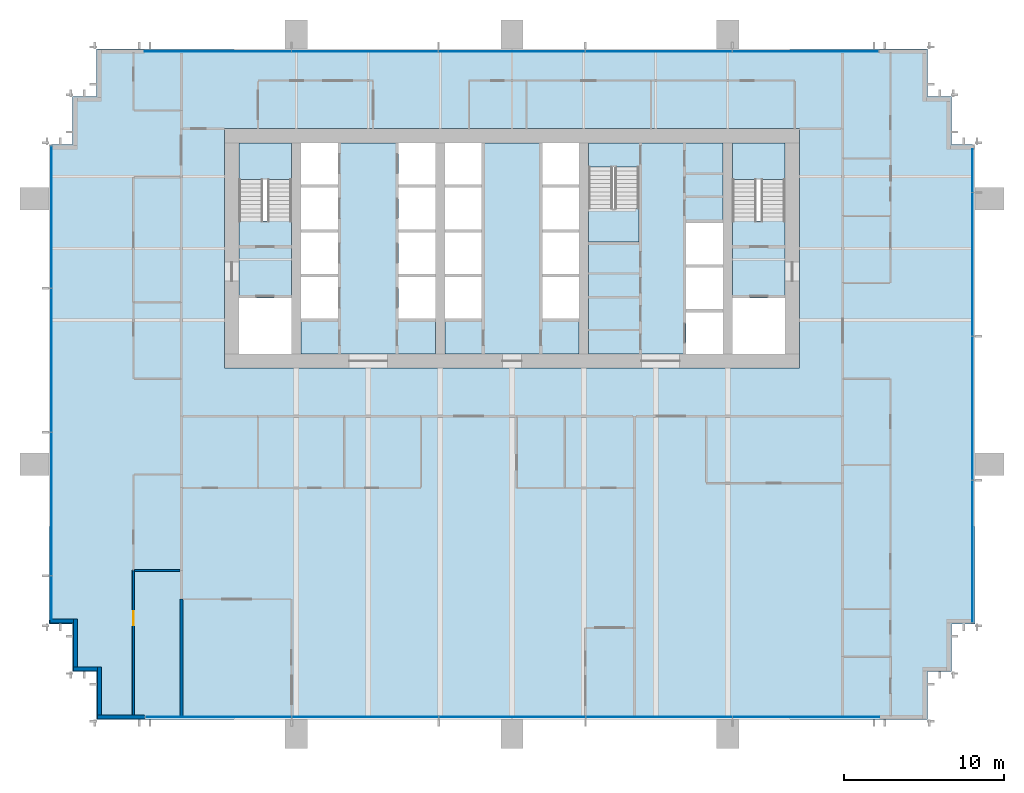
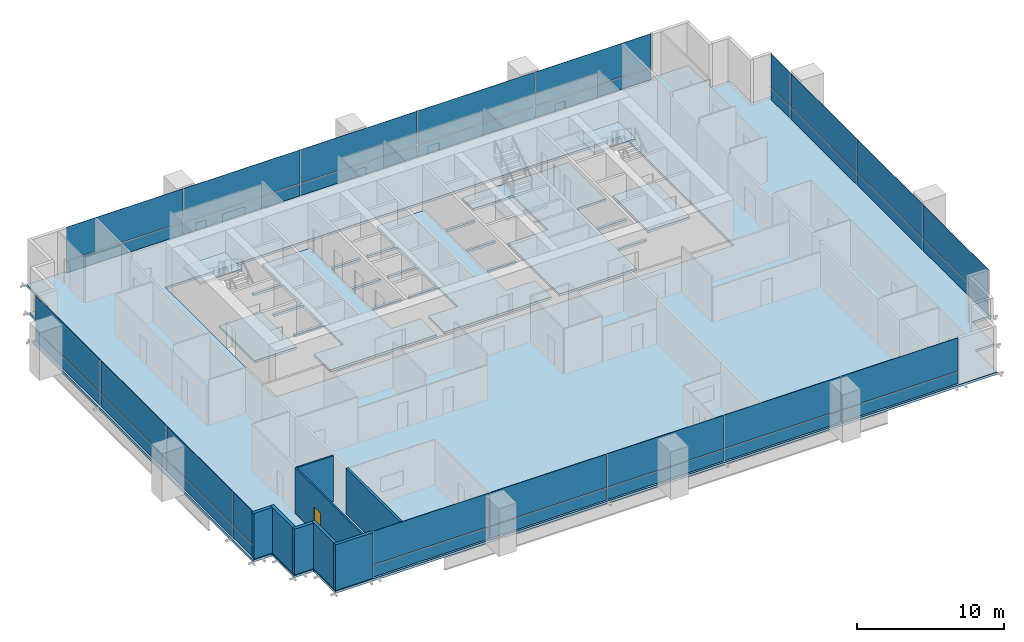
# One storey, part 9 of 16: 36 plates, 9 slabs, 8 walls, 1 door, 1 opening, 7 elements without a shape of their own.
"""IFC4 building model written with IfcOpenShell, lengths in metres."""

from ifc_helpers import new_model, si_unit, direction, frame, frame_2d, origin, origin_2d, place, context, subcontext, project, spatial, polyline, rectangle, outline, extrude, material, layer, layer_set, type_object, element, fill, aggregate, save


model = new_model("IFC4")

# Units and contexts
model_context = context("Model", 3, precision=1e-05, world=origin(), true_north=direction((0.0, 1.0)))
body_context = subcontext(model_context, "Body", "Model", "MODEL_VIEW")
ifc_project = project(units=[si_unit("LENGTHUNIT", "METRE"), si_unit("AREAUNIT", "SQUARE_METRE"), si_unit("VOLUMEUNIT", "CUBIC_METRE"), si_unit("PLANEANGLEUNIT", "RADIAN"), si_unit("MASSUNIT", "GRAM", prefix="KILO")], contexts=[model_context])

# Site, building, storey
site_placement = place(None, origin())
site = spatial("IfcSite", under=ifc_project, at=site_placement, CompositionType="ELEMENT")
building_placement = place(site_placement, origin())
building = spatial("IfcBuilding", under=site, at=building_placement, Name="Rattan Terrace Tower", CompositionType="ELEMENT")
storey_placement = place(building_placement, frame((0.0, 0.0, 130.10009765625)))
storey = spatial("IfcBuildingStorey", under=building, at=storey_placement, Name="L29", CompositionType="ELEMENT", Elevation=130.10009765625)

# Stair, slab
ifc_material_1 = material(Name="Concrete C40/50", Category="concrete")
stair_type = type_object("IfcStairType", Name="Core exit stair 1500", PredefinedType="HALF_TURN_STAIR", material=ifc_material_1)
stair_1_placement = place(storey_placement, origin())
stair_1 = element("IfcStair", 1, at=stair_1_placement, inside=storey, type_object=stair_type, Name="L29 exit stair 1", PredefinedType="HALF_TURN_STAIR")
ifc_material_2 = material(Name="Concrete C40/50", Category="concrete")
ifc_layer_1 = layer(ifc_material_2, 0.199951171875)
ifc_layer_set_1 = layer_set([ifc_layer_1], Name="Core exit stair landing")
slab_type_1 = type_object("IfcSlabType", Name="Core exit stair landing", PredefinedType="LANDING", material=ifc_layer_set_1)
slab_1_placement = place(storey_placement, frame((0.0, 0.0, 1.7998046875)))
slab_1 = element("IfcSlab", 2, at=slab_1_placement, type_object=slab_type_1, Name="S1 landing 1", PredefinedType="LANDING", context=body_context, shape_type="SweptSolid", body=[
    extrude(outline(polyline([(-13.800048828125, 4.300048828125), (-13.800048828125, 6.60009765625), (-17.10009765625, 6.60009765625), (-17.10009765625, 4.300048828125), (-13.800048828125, 4.300048828125)])), origin(), (0.0, 0.0, 1.0), 0.2001953125),
])
aggregate(stair_1, [slab_1])

stair_2_placement = place(storey_placement, origin())
stair_2 = element("IfcStair", 3, at=stair_2_placement, inside=storey, type_object=stair_type, Name="L29 exit stair 2", PredefinedType="HALF_TURN_STAIR")
slab_2_placement = place(storey_placement, frame((0.0, 0.0, 1.7998046875)))
slab_2 = element("IfcSlab", 4, at=slab_2_placement, type_object=slab_type_1, Name="S2 landing 1", PredefinedType="LANDING", context=body_context, shape_type="SweptSolid", body=[
    extrude(outline(polyline([(17.10009765625, 4.300048828125), (17.10009765625, 6.60009765625), (13.800048828125, 6.60009765625), (13.800048828125, 4.300048828125), (17.10009765625, 4.300048828125)])), origin(), (0.0, 0.0, 1.0), 0.2001953125),
])
aggregate(stair_2, [slab_2])

stair_3_placement = place(storey_placement, origin())
stair_3 = element("IfcStair", 5, at=stair_3_placement, inside=storey, type_object=stair_type, Name="L29 exit stair 3", PredefinedType="HALF_TURN_STAIR")
slab_3_placement = place(storey_placement, frame((0.0, 0.0, 1.7998046875)))
slab_3 = element("IfcSlab", 6, at=slab_3_placement, type_object=slab_type_1, Name="S3 landing 1", PredefinedType="LANDING", context=body_context, shape_type="SweptSolid", body=[
    extrude(outline(polyline([(4.800048828125, 2.5), (4.800048828125, 0.39990234375), (7.949951171875, 0.39990234375), (7.949951171875, 2.5), (4.800048828125, 2.5)])), origin(), (0.0, 0.0, 1.0), 0.2001953125),
])
aggregate(stair_3, [slab_3])

# Curtain wall, plates
ifc_material_3 = material(Name="Aluminium and glass", Category="aluminium")
curtain_wall_type = type_object("IfcCurtainWallType", Name="Facade Unitised Curtain Wall", PredefinedType="NOTDEFINED", material=ifc_material_3)
curtain_wall_1_placement = place(storey_placement, origin())
curtain_wall_1 = element("IfcCurtainWall", 7, at=curtain_wall_1_placement, inside=storey, type_object=curtain_wall_type, Name="Curtain wall L29-1", PredefinedType="NOTDEFINED")
ifc_material_4 = material(Name="Aluminium insulated spandrel panel", Category="aluminium")
ifc_layer_2 = layer(ifc_material_4, 0.028076171875)
ifc_layer_set_2 = layer_set([ifc_layer_2], Name="Facade CW Spandrel Panel")
plate_type_1 = type_object("IfcPlateType", Name="Facade CW Spandrel Panel", PredefinedType="CURTAIN_PANEL", material=ifc_layer_set_2)
plate_1_placement = place(storey_placement, frame((28.830078125, -18.96240234375, 0.0), z_axis=(0.0, 0.0, 1.0), x_axis=(0.0, 1.0, 0.0)))
plate_1 = element("IfcPlate", 8, at=plate_1_placement, type_object=plate_type_1, Name="Panel cwl-L29-001.1.1", PredefinedType="CURTAIN_PANEL", context=body_context, shape_type="SweptSolid", body=[
    extrude(rectangle(XDim=8.864990234375, YDim=0.028076171875, at=origin_2d()), origin(), (0.0, 0.0, 1.0), 0.969970703125),
])
plate_2_placement = place(storey_placement, frame((28.830078125, -10.0, 0.0), z_axis=(0.0, 0.0, 1.0), x_axis=(0.0, 1.0, 0.0)))
plate_2 = element("IfcPlate", 9, at=plate_2_placement, type_object=plate_type_1, Name="Panel cwl-L29-001.2.1", PredefinedType="CURTAIN_PANEL", context=body_context, shape_type="SweptSolid", body=[
    extrude(rectangle(XDim=8.93994140625, YDim=0.028076171875, at=origin_2d()), origin(), (0.0, 0.0, 1.0), 0.969970703125),
])
plate_3_placement = place(storey_placement, frame((28.830078125, -1.0, 0.0), z_axis=(0.0, 0.0, 1.0), x_axis=(0.0, 1.0, 0.0)))
plate_3 = element("IfcPlate", 10, at=plate_3_placement, type_object=plate_type_1, Name="Panel cwl-L29-001.3.1", PredefinedType="CURTAIN_PANEL", context=body_context, shape_type="SweptSolid", body=[
    extrude(rectangle(XDim=8.93994140625, YDim=0.028076171875, at=origin_2d()), origin(), (0.0, 0.0, 1.0), 0.969970703125),
])
plate_4_placement = place(storey_placement, frame((28.830078125, 4.867431640625, 0.0), z_axis=(0.0, 0.0, 1.0), x_axis=(0.0, 1.0, 0.0)))
plate_4 = element("IfcPlate", 11, at=plate_4_placement, type_object=plate_type_1, Name="Panel cwl-L29-001.4.1", PredefinedType="CURTAIN_PANEL", context=body_context, shape_type="SweptSolid", body=[
    extrude(rectangle(XDim=2.675048828125, YDim=0.028076171875, at=origin_2d()), origin(), (0.0, 0.0, 1.0), 0.969970703125),
])

curtain_wall_2_placement = place(storey_placement, origin())
curtain_wall_2 = element("IfcCurtainWall", 12, at=curtain_wall_2_placement, inside=storey, type_object=curtain_wall_type, Name="Curtain wall L29-2", PredefinedType="NOTDEFINED")
plate_5_placement = place(storey_placement, frame((18.384521484375, 12.330078125, 0.0), z_axis=(0.0, 0.0, 1.0), x_axis=(-1.0, 0.0, 0.0)))
plate_5 = element("IfcPlate", 13, at=plate_5_placement, type_object=plate_type_1, Name="Panel cwl-L29-002.1.1", PredefinedType="CURTAIN_PANEL", context=body_context, shape_type="SweptSolid", body=[
    extrude(rectangle(XDim=9.111083984375, YDim=0.028076171875, at=origin_2d()), origin(), (0.0, 0.0, 1.0), 0.969970703125),
])
plate_6_placement = place(storey_placement, frame((9.198486328125, 12.330078125, 0.0), z_axis=(0.0, 0.0, 1.0), x_axis=(-1.0, 0.0, 0.0)))
plate_6 = element("IfcPlate", 14, at=plate_6_placement, type_object=plate_type_1, Name="Panel cwl-L29-002.2.1", PredefinedType="CURTAIN_PANEL", context=body_context, shape_type="SweptSolid", body=[
    extrude(rectangle(XDim=9.14111328125, YDim=0.028076171875, at=origin_2d()), origin(), (0.0, 0.0, 1.0), 0.969970703125),
])
plate_7_placement = place(storey_placement, frame((-0.00244140625, 12.330078125, 0.0), z_axis=(0.0, 0.0, 1.0), x_axis=(-1.0, 0.0, 0.0)))
plate_7 = element("IfcPlate", 15, at=plate_7_placement, type_object=plate_type_1, Name="Panel cwl-L29-002.3.1", PredefinedType="CURTAIN_PANEL", context=body_context, shape_type="SweptSolid", body=[
    extrude(rectangle(XDim=9.14111328125, YDim=0.028076171875, at=origin_2d()), origin(), (0.0, 0.0, 1.0), 0.969970703125),
])
plate_8_placement = place(storey_placement, frame((-9.20361328125, 12.330078125, 0.0), z_axis=(0.0, 0.0, 1.0), x_axis=(-1.0, 0.0, 0.0)))
plate_8 = element("IfcPlate", 16, at=plate_8_placement, type_object=plate_type_1, Name="Panel cwl-L29-002.4.1", PredefinedType="CURTAIN_PANEL", context=body_context, shape_type="SweptSolid", body=[
    extrude(rectangle(XDim=9.14111328125, YDim=0.028076171875, at=origin_2d()), origin(), (0.0, 0.0, 1.0), 0.969970703125),
])
plate_9_placement = place(storey_placement, frame((-18.4169921875, 12.330078125, 0.0), z_axis=(0.0, 0.0, 1.0), x_axis=(-1.0, 0.0, 0.0)))
plate_9 = element("IfcPlate", 17, at=plate_9_placement, type_object=plate_type_1, Name="Panel cwl-L29-002.5.1", PredefinedType="CURTAIN_PANEL", context=body_context, shape_type="SweptSolid", body=[
    extrude(rectangle(XDim=9.166015625, YDim=0.028076171875, at=origin_2d()), origin(), (0.0, 0.0, 1.0), 0.969970703125),
])

curtain_wall_3_placement = place(storey_placement, origin())
curtain_wall_3 = element("IfcCurtainWall", 18, at=curtain_wall_3_placement, inside=storey, type_object=curtain_wall_type, Name="Curtain wall L29-3", PredefinedType="NOTDEFINED")
plate_10_placement = place(storey_placement, frame((-28.830078125, 1.96240234375, 0.0), z_axis=(0.0, 0.0, 1.0), x_axis=(0.0, -1.0, 0.0)))
plate_10 = element("IfcPlate", 19, at=plate_10_placement, type_object=plate_type_1, Name="Panel cwl-L29-003.1.1", PredefinedType="CURTAIN_PANEL", context=body_context, shape_type="SweptSolid", body=[
    extrude(rectangle(XDim=8.864990234375, YDim=0.028076171875, at=origin_2d()), origin(), (0.0, 0.0, 1.0), 0.969970703125),
])
plate_11_placement = place(storey_placement, frame((-28.830078125, -7.0, 0.0), z_axis=(0.0, 0.0, 1.0), x_axis=(0.0, -1.0, 0.0)))
plate_11 = element("IfcPlate", 20, at=plate_11_placement, type_object=plate_type_1, Name="Panel cwl-L29-003.2.1", PredefinedType="CURTAIN_PANEL", context=body_context, shape_type="SweptSolid", body=[
    extrude(rectangle(XDim=8.93994140625, YDim=0.028076171875, at=origin_2d()), origin(), (0.0, 0.0, 1.0), 0.969970703125),
])
plate_12_placement = place(storey_placement, frame((-28.830078125, -16.0, 0.0), z_axis=(0.0, 0.0, 1.0), x_axis=(0.0, -1.0, 0.0)))
plate_12 = element("IfcPlate", 21, at=plate_12_placement, type_object=plate_type_1, Name="Panel cwl-L29-003.3.1", PredefinedType="CURTAIN_PANEL", context=body_context, shape_type="SweptSolid", body=[
    extrude(rectangle(XDim=8.93994140625, YDim=0.028076171875, at=origin_2d()), origin(), (0.0, 0.0, 1.0), 0.969970703125),
])
plate_13_placement = place(storey_placement, frame((-28.830078125, -21.867431640625, 0.0), z_axis=(0.0, 0.0, 1.0), x_axis=(0.0, -1.0, 0.0)))
plate_13 = element("IfcPlate", 22, at=plate_13_placement, type_object=plate_type_1, Name="Panel cwl-L29-003.4.1", PredefinedType="CURTAIN_PANEL", context=body_context, shape_type="SweptSolid", body=[
    extrude(rectangle(XDim=2.675048828125, YDim=0.028076171875, at=origin_2d()), origin(), (0.0, 0.0, 1.0), 0.969970703125),
])

curtain_wall_4_placement = place(storey_placement, origin())
curtain_wall_4 = element("IfcCurtainWall", 23, at=curtain_wall_4_placement, inside=storey, type_object=curtain_wall_type, Name="Curtain wall L29-4", PredefinedType="NOTDEFINED")
plate_14_placement = place(storey_placement, frame((-18.384521484375, -29.330078125, 0.0), z_axis=(0.0, 0.0, 1.0), x_axis=(1.0, 0.0, 0.0)))
plate_14 = element("IfcPlate", 24, at=plate_14_placement, type_object=plate_type_1, Name="Panel cwl-L29-004.1.1", PredefinedType="CURTAIN_PANEL", context=body_context, shape_type="SweptSolid", body=[
    extrude(rectangle(XDim=9.111083984375, YDim=0.028076171875, at=origin_2d()), origin(), (0.0, 0.0, 1.0), 0.969970703125),
])
plate_15_placement = place(storey_placement, frame((-9.198486328125, -29.330078125, 0.0), z_axis=(0.0, 0.0, 1.0), x_axis=(1.0, 0.0, 0.0)))
plate_15 = element("IfcPlate", 25, at=plate_15_placement, type_object=plate_type_1, Name="Panel cwl-L29-004.2.1", PredefinedType="CURTAIN_PANEL", context=body_context, shape_type="SweptSolid", body=[
    extrude(rectangle(XDim=9.14111328125, YDim=0.028076171875, at=origin_2d()), origin(), (0.0, 0.0, 1.0), 0.969970703125),
])
plate_16_placement = place(storey_placement, frame((0.00244140625, -29.330078125, 0.0), z_axis=(0.0, 0.0, 1.0), x_axis=(1.0, 0.0, 0.0)))
plate_16 = element("IfcPlate", 26, at=plate_16_placement, type_object=plate_type_1, Name="Panel cwl-L29-004.3.1", PredefinedType="CURTAIN_PANEL", context=body_context, shape_type="SweptSolid", body=[
    extrude(rectangle(XDim=9.14111328125, YDim=0.028076171875, at=origin_2d()), origin(), (0.0, 0.0, 1.0), 0.969970703125),
])
plate_17_placement = place(storey_placement, frame((9.20361328125, -29.330078125, 0.0), z_axis=(0.0, 0.0, 1.0), x_axis=(1.0, 0.0, 0.0)))
plate_17 = element("IfcPlate", 27, at=plate_17_placement, type_object=plate_type_1, Name="Panel cwl-L29-004.4.1", PredefinedType="CURTAIN_PANEL", context=body_context, shape_type="SweptSolid", body=[
    extrude(rectangle(XDim=9.14111328125, YDim=0.028076171875, at=origin_2d()), origin(), (0.0, 0.0, 1.0), 0.969970703125),
])
plate_18_placement = place(storey_placement, frame((18.4169921875, -29.330078125, 0.0), z_axis=(0.0, 0.0, 1.0), x_axis=(1.0, 0.0, 0.0)))
plate_18 = element("IfcPlate", 28, at=plate_18_placement, type_object=plate_type_1, Name="Panel cwl-L29-004.5.1", PredefinedType="CURTAIN_PANEL", context=body_context, shape_type="SweptSolid", body=[
    extrude(rectangle(XDim=9.166015625, YDim=0.028076171875, at=origin_2d()), origin(), (0.0, 0.0, 1.0), 0.969970703125),
])

# Plate
ifc_material_5 = material(Name="Clear low-iron glass", Category="glass")
ifc_layer_3 = layer(ifc_material_5, 0.028076171875)
ifc_layer_set_3 = layer_set([ifc_layer_3], Name="Facade CW Vision Panel")
plate_type_2 = type_object("IfcPlateType", Name="Facade CW Vision Panel", PredefinedType="CURTAIN_PANEL", material=ifc_layer_set_3)
plate_19_placement = place(storey_placement, frame((28.830078125, -18.96240234375, 1.02978515625), z_axis=(0.0, 0.0, 1.0), x_axis=(0.0, 1.0, 0.0)))
plate_19 = element("IfcPlate", 29, at=plate_19_placement, type_object=plate_type_2, Name="Panel cwl-L29-001.1.2", PredefinedType="CURTAIN_PANEL", context=body_context, shape_type="SweptSolid", body=[
    extrude(rectangle(XDim=8.864990234375, YDim=0.028076171875, at=origin_2d()), origin(), (0.0, 0.0, 1.0), 2.77001953125),
])

plate_20_placement = place(storey_placement, frame((28.830078125, -10.0, 1.02978515625), z_axis=(0.0, 0.0, 1.0), x_axis=(0.0, 1.0, 0.0)))
plate_20 = element("IfcPlate", 30, at=plate_20_placement, type_object=plate_type_2, Name="Panel cwl-L29-001.2.2", PredefinedType="CURTAIN_PANEL", context=body_context, shape_type="SweptSolid", body=[
    extrude(rectangle(XDim=8.93994140625, YDim=0.028076171875, at=origin_2d()), origin(), (0.0, 0.0, 1.0), 2.77001953125),
])

plate_21_placement = place(storey_placement, frame((28.830078125, -1.0, 1.02978515625), z_axis=(0.0, 0.0, 1.0), x_axis=(0.0, 1.0, 0.0)))
plate_21 = element("IfcPlate", 31, at=plate_21_placement, type_object=plate_type_2, Name="Panel cwl-L29-001.3.2", PredefinedType="CURTAIN_PANEL", context=body_context, shape_type="SweptSolid", body=[
    extrude(rectangle(XDim=8.93994140625, YDim=0.028076171875, at=origin_2d()), origin(), (0.0, 0.0, 1.0), 2.77001953125),
])

plate_22_placement = place(storey_placement, frame((28.830078125, 4.867431640625, 1.02978515625), z_axis=(0.0, 0.0, 1.0), x_axis=(0.0, 1.0, 0.0)))
plate_22 = element("IfcPlate", 32, at=plate_22_placement, type_object=plate_type_2, Name="Panel cwl-L29-001.4.2", PredefinedType="CURTAIN_PANEL", context=body_context, shape_type="SweptSolid", body=[
    extrude(rectangle(XDim=2.675048828125, YDim=0.028076171875, at=origin_2d()), origin(), (0.0, 0.0, 1.0), 2.77001953125),
])

aggregate(curtain_wall_1, [plate_1, plate_19, plate_2, plate_20, plate_3, plate_21, plate_4, plate_22])

plate_23_placement = place(storey_placement, frame((18.384521484375, 12.330078125, 1.02978515625), z_axis=(0.0, 0.0, 1.0), x_axis=(-1.0, 0.0, 0.0)))
plate_23 = element("IfcPlate", 33, at=plate_23_placement, type_object=plate_type_2, Name="Panel cwl-L29-002.1.2", PredefinedType="CURTAIN_PANEL", context=body_context, shape_type="SweptSolid", body=[
    extrude(rectangle(XDim=9.111083984375, YDim=0.028076171875, at=origin_2d()), origin(), (0.0, 0.0, 1.0), 2.77001953125),
])

plate_24_placement = place(storey_placement, frame((9.198486328125, 12.330078125, 1.02978515625), z_axis=(0.0, 0.0, 1.0), x_axis=(-1.0, 0.0, 0.0)))
plate_24 = element("IfcPlate", 34, at=plate_24_placement, type_object=plate_type_2, Name="Panel cwl-L29-002.2.2", PredefinedType="CURTAIN_PANEL", context=body_context, shape_type="SweptSolid", body=[
    extrude(rectangle(XDim=9.14111328125, YDim=0.028076171875, at=origin_2d()), origin(), (0.0, 0.0, 1.0), 2.77001953125),
])

plate_25_placement = place(storey_placement, frame((-0.00244140625, 12.330078125, 1.02978515625), z_axis=(0.0, 0.0, 1.0), x_axis=(-1.0, 0.0, 0.0)))
plate_25 = element("IfcPlate", 35, at=plate_25_placement, type_object=plate_type_2, Name="Panel cwl-L29-002.3.2", PredefinedType="CURTAIN_PANEL", context=body_context, shape_type="SweptSolid", body=[
    extrude(rectangle(XDim=9.14111328125, YDim=0.028076171875, at=origin_2d()), origin(), (0.0, 0.0, 1.0), 2.77001953125),
])

plate_26_placement = place(storey_placement, frame((-9.20361328125, 12.330078125, 1.02978515625), z_axis=(0.0, 0.0, 1.0), x_axis=(-1.0, 0.0, 0.0)))
plate_26 = element("IfcPlate", 36, at=plate_26_placement, type_object=plate_type_2, Name="Panel cwl-L29-002.4.2", PredefinedType="CURTAIN_PANEL", context=body_context, shape_type="SweptSolid", body=[
    extrude(rectangle(XDim=9.14111328125, YDim=0.028076171875, at=origin_2d()), origin(), (0.0, 0.0, 1.0), 2.77001953125),
])

plate_27_placement = place(storey_placement, frame((-18.4169921875, 12.330078125, 1.02978515625), z_axis=(0.0, 0.0, 1.0), x_axis=(-1.0, 0.0, 0.0)))
plate_27 = element("IfcPlate", 37, at=plate_27_placement, type_object=plate_type_2, Name="Panel cwl-L29-002.5.2", PredefinedType="CURTAIN_PANEL", context=body_context, shape_type="SweptSolid", body=[
    extrude(rectangle(XDim=9.166015625, YDim=0.028076171875, at=origin_2d()), origin(), (0.0, 0.0, 1.0), 2.77001953125),
])

aggregate(curtain_wall_2, [plate_5, plate_23, plate_6, plate_24, plate_7, plate_25, plate_8, plate_26, plate_9, plate_27])

plate_28_placement = place(storey_placement, frame((-28.830078125, 1.96240234375, 1.02978515625), z_axis=(0.0, 0.0, 1.0), x_axis=(0.0, -1.0, 0.0)))
plate_28 = element("IfcPlate", 38, at=plate_28_placement, type_object=plate_type_2, Name="Panel cwl-L29-003.1.2", PredefinedType="CURTAIN_PANEL", context=body_context, shape_type="SweptSolid", body=[
    extrude(rectangle(XDim=8.864990234375, YDim=0.028076171875, at=origin_2d()), origin(), (0.0, 0.0, 1.0), 2.77001953125),
])

plate_29_placement = place(storey_placement, frame((-28.830078125, -7.0, 1.02978515625), z_axis=(0.0, 0.0, 1.0), x_axis=(0.0, -1.0, 0.0)))
plate_29 = element("IfcPlate", 39, at=plate_29_placement, type_object=plate_type_2, Name="Panel cwl-L29-003.2.2", PredefinedType="CURTAIN_PANEL", context=body_context, shape_type="SweptSolid", body=[
    extrude(rectangle(XDim=8.93994140625, YDim=0.028076171875, at=origin_2d()), origin(), (0.0, 0.0, 1.0), 2.77001953125),
])

plate_30_placement = place(storey_placement, frame((-28.830078125, -16.0, 1.02978515625), z_axis=(0.0, 0.0, 1.0), x_axis=(0.0, -1.0, 0.0)))
plate_30 = element("IfcPlate", 40, at=plate_30_placement, type_object=plate_type_2, Name="Panel cwl-L29-003.3.2", PredefinedType="CURTAIN_PANEL", context=body_context, shape_type="SweptSolid", body=[
    extrude(rectangle(XDim=8.93994140625, YDim=0.028076171875, at=origin_2d()), origin(), (0.0, 0.0, 1.0), 2.77001953125),
])

plate_31_placement = place(storey_placement, frame((-28.830078125, -21.867431640625, 1.02978515625), z_axis=(0.0, 0.0, 1.0), x_axis=(0.0, -1.0, 0.0)))
plate_31 = element("IfcPlate", 41, at=plate_31_placement, type_object=plate_type_2, Name="Panel cwl-L29-003.4.2", PredefinedType="CURTAIN_PANEL", context=body_context, shape_type="SweptSolid", body=[
    extrude(rectangle(XDim=2.675048828125, YDim=0.028076171875, at=origin_2d()), origin(), (0.0, 0.0, 1.0), 2.77001953125),
])

aggregate(curtain_wall_3, [plate_10, plate_28, plate_11, plate_29, plate_12, plate_30, plate_13, plate_31])

plate_32_placement = place(storey_placement, frame((-18.384521484375, -29.330078125, 1.02978515625), z_axis=(0.0, 0.0, 1.0), x_axis=(1.0, 0.0, 0.0)))
plate_32 = element("IfcPlate", 42, at=plate_32_placement, type_object=plate_type_2, Name="Panel cwl-L29-004.1.2", PredefinedType="CURTAIN_PANEL", context=body_context, shape_type="SweptSolid", body=[
    extrude(rectangle(XDim=9.111083984375, YDim=0.028076171875, at=origin_2d()), origin(), (0.0, 0.0, 1.0), 2.77001953125),
])

plate_33_placement = place(storey_placement, frame((-9.198486328125, -29.330078125, 1.02978515625), z_axis=(0.0, 0.0, 1.0), x_axis=(1.0, 0.0, 0.0)))
plate_33 = element("IfcPlate", 43, at=plate_33_placement, type_object=plate_type_2, Name="Panel cwl-L29-004.2.2", PredefinedType="CURTAIN_PANEL", context=body_context, shape_type="SweptSolid", body=[
    extrude(rectangle(XDim=9.14111328125, YDim=0.028076171875, at=origin_2d()), origin(), (0.0, 0.0, 1.0), 2.77001953125),
])

plate_34_placement = place(storey_placement, frame((0.00244140625, -29.330078125, 1.02978515625), z_axis=(0.0, 0.0, 1.0), x_axis=(1.0, 0.0, 0.0)))
plate_34 = element("IfcPlate", 44, at=plate_34_placement, type_object=plate_type_2, Name="Panel cwl-L29-004.3.2", PredefinedType="CURTAIN_PANEL", context=body_context, shape_type="SweptSolid", body=[
    extrude(rectangle(XDim=9.14111328125, YDim=0.028076171875, at=origin_2d()), origin(), (0.0, 0.0, 1.0), 2.77001953125),
])

plate_35_placement = place(storey_placement, frame((9.20361328125, -29.330078125, 1.02978515625), z_axis=(0.0, 0.0, 1.0), x_axis=(1.0, 0.0, 0.0)))
plate_35 = element("IfcPlate", 45, at=plate_35_placement, type_object=plate_type_2, Name="Panel cwl-L29-004.4.2", PredefinedType="CURTAIN_PANEL", context=body_context, shape_type="SweptSolid", body=[
    extrude(rectangle(XDim=9.14111328125, YDim=0.028076171875, at=origin_2d()), origin(), (0.0, 0.0, 1.0), 2.77001953125),
])

plate_36_placement = place(storey_placement, frame((18.4169921875, -29.330078125, 1.02978515625), z_axis=(0.0, 0.0, 1.0), x_axis=(1.0, 0.0, 0.0)))
plate_36 = element("IfcPlate", 46, at=plate_36_placement, type_object=plate_type_2, Name="Panel cwl-L29-004.5.2", PredefinedType="CURTAIN_PANEL", context=body_context, shape_type="SweptSolid", body=[
    extrude(rectangle(XDim=9.166015625, YDim=0.028076171875, at=origin_2d()), origin(), (0.0, 0.0, 1.0), 2.77001953125),
])

aggregate(curtain_wall_4, [plate_14, plate_32, plate_15, plate_33, plate_16, plate_34, plate_17, plate_35, plate_18, plate_36])

# Slabs
ifc_material_6 = material(Name="Concrete C35/45", Category="concrete")
ifc_layer_4 = layer(ifc_material_6, 0.199951171875)
ifc_layer_set_4 = layer_set([ifc_layer_4], Name="Frame composite floor slab 200")
slab_type_2 = type_object("IfcSlabType", Name="Frame composite floor slab 200", PredefinedType="FLOOR", material=ifc_layer_set_4)
slab_4_placement = place(storey_placement, frame((0.0, 0.0, -0.2001953125)))
element("IfcSlab", 47, at=slab_4_placement, inside=storey, type_object=slab_type_2, Name="Floor slab", PredefinedType="FLOOR", context=body_context, shape_type="SweptSolid", body=[
    extrude(outline(polyline([(-23.0, -29.5), (23.0, -29.5), (26.0, -29.5), (26.0, -26.5), (27.5, -26.5), (27.5, -23.5), (29.0, -23.5), (29.0, 6.5), (27.5, 6.5), (27.5, 9.5), (26.0, 9.5), (26.0, 12.5), (23.0, 12.5), (-23.0, 12.5), (-26.0, 12.5), (-26.0, 9.5), (-27.5, 9.5), (-27.5, 6.5), (-29.0, 6.5), (-29.0, -23.5), (-27.5, -23.5), (-27.5, -26.5), (-26.0, -26.5), (-26.0, -29.5), (-23.0, -29.5)]), holes=[polyline([(-18.0, -6.60009765625), (-18.0, -7.5), (18.0, -7.5), (18.0, -6.60009765625), (18.0, 6.60009765625), (18.0, 7.5), (-18.0, 7.5), (-18.0, 6.60009765625), (-18.0, -6.60009765625)])]), origin(), (0.0, 0.0, 1.0), 0.2001953125),
])
slab_5_placement = place(storey_placement, frame((0.0, 0.0, -0.2001953125)))
element("IfcSlab", 48, at=slab_5_placement, inside=storey, type_object=slab_type_2, Name="Floor slab", PredefinedType="FLOOR", context=body_context, shape_type="SweptSolid", body=[
    extrude(outline(polyline([(-10.89990234375, 6.60009765625), (-10.89990234375, 4.0), (-13.199951171875, 4.0), (-13.199951171875, 3.800048828125), (-10.89990234375, 3.800048828125), (-10.89990234375, 1.199951171875), (-13.199951171875, 1.199951171875), (-13.199951171875, 1.0), (-10.89990234375, 1.0), (-10.89990234375, -1.60009765625), (-13.199951171875, -1.60009765625), (-13.199951171875, -1.800048828125), (-10.89990234375, -1.800048828125), (-10.89990234375, -4.39990234375), (-13.199951171875, -4.39990234375), (-13.199951171875, -6.60009765625), (-4.800048828125, -6.60009765625), (-4.800048828125, -4.39990234375), (-7.10009765625, -4.39990234375), (-7.10009765625, -1.800048828125), (-4.800048828125, -1.800048828125), (-4.800048828125, -1.60009765625), (-7.10009765625, -1.60009765625), (-7.10009765625, 1.0), (-4.800048828125, 1.0), (-4.800048828125, 1.199951171875), (-7.10009765625, 1.199951171875), (-7.10009765625, 3.800048828125), (-4.800048828125, 3.800048828125), (-4.800048828125, 4.0), (-7.10009765625, 4.0), (-7.10009765625, 6.60009765625), (-10.89990234375, 6.60009765625)])), origin(), (0.0, 0.0, 1.0), 0.2001953125),
])
slab_6_placement = place(storey_placement, frame((0.0, 0.0, -0.2001953125)))
element("IfcSlab", 49, at=slab_6_placement, inside=storey, type_object=slab_type_2, Name="Floor slab", PredefinedType="FLOOR", context=body_context, shape_type="SweptSolid", body=[
    extrude(outline(polyline([(-17.10009765625, -3.10009765625), (-13.800048828125, -3.10009765625), (-13.800048828125, 1.7099609375), (-17.10009765625, 1.7099609375), (-17.10009765625, -3.10009765625)])), origin(), (0.0, 0.0, 1.0), 0.2001953125),
])
slab_7_placement = place(storey_placement, frame((0.0, 0.0, -0.2001953125)))
element("IfcSlab", 50, at=slab_7_placement, inside=storey, type_object=slab_type_2, Name="Floor slab", PredefinedType="FLOOR", context=body_context, shape_type="SweptSolid", body=[
    extrude(outline(polyline([(-4.199951171875, 4.0), (-4.199951171875, 3.800048828125), (-1.89990234375, 3.800048828125), (-1.89990234375, 1.199951171875), (-4.199951171875, 1.199951171875), (-4.199951171875, 1.0), (-1.89990234375, 1.0), (-1.89990234375, -1.60009765625), (-4.199951171875, -1.60009765625), (-4.199951171875, -1.800048828125), (-1.89990234375, -1.800048828125), (-1.89990234375, -4.39990234375), (-4.199951171875, -4.39990234375), (-4.199951171875, -6.60009765625), (4.199951171875, -6.60009765625), (4.199951171875, -4.39990234375), (1.89990234375, -4.39990234375), (1.89990234375, -1.800048828125), (4.199951171875, -1.800048828125), (4.199951171875, -1.60009765625), (1.89990234375, -1.60009765625), (1.89990234375, 1.0), (4.199951171875, 1.0), (4.199951171875, 1.199951171875), (1.89990234375, 1.199951171875), (1.89990234375, 3.800048828125), (4.199951171875, 3.800048828125), (4.199951171875, 4.0), (1.89990234375, 4.0), (1.89990234375, 6.60009765625), (-1.89990234375, 6.60009765625), (-1.89990234375, 4.0), (-4.199951171875, 4.0)])), origin(), (0.0, 0.0, 1.0), 0.2001953125),
])
slab_8_placement = place(storey_placement, frame((0.0, 0.0, -0.2001953125)))
element("IfcSlab", 51, at=slab_8_placement, inside=storey, type_object=slab_type_2, Name="Floor slab", PredefinedType="FLOOR", context=body_context, shape_type="SweptSolid", body=[
    extrude(outline(polyline([(4.800048828125, 5.090087890625), (7.949951171875, 5.090087890625), (7.949951171875, 0.39990234375), (4.800048828125, 0.39990234375), (4.800048828125, -6.60009765625), (10.89990234375, -6.60009765625), (10.89990234375, -4.0), (13.199951171875, -4.0), (13.199951171875, -3.800048828125), (10.89990234375, -3.800048828125), (10.89990234375, -1.199951171875), (13.199951171875, -1.199951171875), (13.199951171875, -1.0), (10.89990234375, -1.0), (10.89990234375, 1.60009765625), (13.199951171875, 1.60009765625), (13.199951171875, 6.60009765625), (4.800048828125, 6.60009765625), (4.800048828125, 5.090087890625)])), origin(), (0.0, 0.0, 1.0), 0.2001953125),
])
slab_9_placement = place(storey_placement, frame((0.0, 0.0, -0.2001953125)))
element("IfcSlab", 52, at=slab_9_placement, inside=storey, type_object=slab_type_2, Name="Floor slab", PredefinedType="FLOOR", context=body_context, shape_type="SweptSolid", body=[
    extrude(outline(polyline([(13.800048828125, -3.10009765625), (17.10009765625, -3.10009765625), (17.10009765625, 1.7099609375), (13.800048828125, 1.7099609375), (13.800048828125, -3.10009765625)])), origin(), (0.0, 0.0, 1.0), 0.2001953125),
])

# Walls
ifc_material_7 = material(Name="Insulated aluminium-clad stud wall", Category="aluminium")
ifc_layer_5 = layer(ifc_material_7, 0.25)
ifc_layer_set_5 = layer_set([ifc_layer_5], Name="Facade Riser Wall 250")
wall_type_1 = type_object("IfcWallType", Name="Facade Riser Wall 250", PredefinedType="SOLIDWALL", material=ifc_layer_set_5)
wall_1_placement = place(storey_placement, frame((-28.909912109375, -23.330078125, 0.0), z_axis=(0.0, 0.0, 1.0), x_axis=(1.0, 0.0, 0.0)))
element("IfcWall", 53, at=wall_1_placement, inside=storey, type_object=wall_type_1, Name="Riser wall L29-16", PredefinedType="SOLIDWALL", context=body_context, shape_type="SweptSolid", body=[
    extrude(rectangle(XDim=1.454833984375, YDim=0.25, at=frame_2d((0.7275390625, 0.0))), origin(), (0.0, 0.0, 1.0), 3.7998046875),
])
wall_2_placement = place(storey_placement, frame((-27.330078125, -23.205078125, 0.0), z_axis=(0.0, 0.0, 1.0), x_axis=(0.0, -1.0, 0.0)))
element("IfcWall", 54, at=wall_2_placement, inside=storey, type_object=wall_type_1, Name="Riser wall L29-17", PredefinedType="SOLIDWALL", context=body_context, shape_type="SweptSolid", body=[
    extrude(rectangle(XDim=3.0, YDim=0.25, at=frame_2d((1.5, 0.0))), origin(), (0.0, 0.0, 1.0), 3.7998046875),
])
wall_3_placement = place(storey_placement, frame((-27.455078125, -26.330078125, 0.0), z_axis=(0.0, 0.0, 1.0), x_axis=(1.0, 0.0, 0.0)))
element("IfcWall", 55, at=wall_3_placement, inside=storey, type_object=wall_type_1, Name="Riser wall L29-18", PredefinedType="SOLIDWALL", context=body_context, shape_type="SweptSolid", body=[
    extrude(rectangle(XDim=1.5, YDim=0.25, at=frame_2d((0.75, 0.0))), origin(), (0.0, 0.0, 1.0), 3.7998046875),
])
wall_4_placement = place(storey_placement, frame((-25.830078125, -26.205078125, 0.0), z_axis=(0.0, 0.0, 1.0), x_axis=(0.0, -1.0, 0.0)))
element("IfcWall", 56, at=wall_4_placement, inside=storey, type_object=wall_type_1, Name="Riser wall L29-19", PredefinedType="SOLIDWALL", context=body_context, shape_type="SweptSolid", body=[
    extrude(rectangle(XDim=3.0, YDim=0.25, at=frame_2d((1.5, 0.0))), origin(), (0.0, 0.0, 1.0), 3.7998046875),
])
wall_5_placement = place(storey_placement, frame((-25.955078125, -29.330078125, 0.0), z_axis=(0.0, 0.0, 1.0), x_axis=(1.0, 0.0, 0.0)))
element("IfcWall", 57, at=wall_5_placement, inside=storey, type_object=wall_type_1, Name="Riser wall L29-20", PredefinedType="SOLIDWALL", context=body_context, shape_type="SweptSolid", body=[
    extrude(rectangle(XDim=2.955078125, YDim=0.25, at=frame_2d((1.4775390625, 0.0))), origin(), (0.0, 0.0, 1.0), 3.7998046875),
])
ifc_material_8 = material(Name="Double steel stud acoustic partition, gypsum board, mineral wool, fire rated", Category="steel")
ifc_layer_6 = layer(ifc_material_8, 0.179931640625)
ifc_layer_set_6 = layer_set([ifc_layer_6], Name="Floors Acoustic Party Wall 180")
wall_type_2 = type_object("IfcWallType", Name="Floors Acoustic Party Wall 180", PredefinedType="PARTITIONING", material=ifc_layer_set_6)
wall_6_placement = place(storey_placement, frame((-20.699951171875, -21.93994140625, 0.0), z_axis=(0.0, 0.0, 1.0), x_axis=(0.0, -1.0, 0.0)))
element("IfcWall", 58, at=wall_6_placement, inside=storey, type_object=wall_type_2, Name="pt-L29-033", PredefinedType="PARTITIONING", context=body_context, shape_type="SweptSolid", body=[
    extrude(rectangle(XDim=7.300048828125, YDim=0.179931640625, at=frame_2d((3.64990234375, 0.0))), origin(), (0.0, 0.0, 1.0), 3.7998046875),
])

# Wall, opening, door
ifc_material_9 = material(Name="Moisture resistant gypsum board partition on steel studs with service cavity", Category="steel")
ifc_layer_7 = layer(ifc_material_9, 0.1201171875)
ifc_layer_set_7 = layer_set([ifc_layer_7], Name="Floors Wet Wall 120")
wall_type_3 = type_object("IfcWallType", Name="Floors Wet Wall 120", PredefinedType="PARTITIONING", material=ifc_layer_set_7)
wall_7_placement = place(storey_placement, frame((-23.699951171875, -20.139892578125, 0.0), z_axis=(0.0, 0.0, 1.0), x_axis=(0.0, -1.0, 0.0)))
wall_7 = element("IfcWall", 59, at=wall_7_placement, inside=storey, type_object=wall_type_3, Name="pt-L29-020", PredefinedType="PARTITIONING", context=body_context, shape_type="SweptSolid", body=[
    extrude(rectangle(XDim=9.10009765625, YDim=0.1201171875, at=frame_2d((4.550048828125, 0.0))), origin(), (0.0, 0.0, 1.0), 3.7998046875),
])
opening_placement = place(wall_7_placement, frame((2.56005859375, 0.0, 0.0)))
opening = element("IfcOpeningElement", 60, at=opening_placement, cuts=wall_7, Name="Opening L29-D101", PredefinedType="OPENING", context=body_context, shape_type="SweptSolid", body=[
    extrude(rectangle(XDim=0.89990234375, YDim=2.10009765625, at=frame_2d((0.449951171875, 1.050048828125))), frame((0.0, 0.070556640625, 0.0), z_axis=(0.0, -1.0, 0.0), x_axis=(1.0, 0.0, 0.0)), (0.0, 0.0, 1.0), 0.14111328125),
])
ifc_material_10 = material(Name="Solid core timber door, painted", Category="wood")
door_type = type_object("IfcDoorType", Name="Floors Door 900x2100", OperationType="NOTDEFINED", PredefinedType="DOOR", material=ifc_material_10)
door_placement = place(opening_placement, origin())
door = element("IfcDoor", 61, at=door_placement, inside=storey, type_object=door_type, Name="d-L29-101", OperationType="SINGLE_SWING_LEFT", OverallHeight=2.10009765625, OverallWidth=0.89990234375, PredefinedType="DOOR", context=body_context, shape_type="SweptSolid", body=[
    extrude(rectangle(XDim=0.89990234375, YDim=2.10009765625, at=frame_2d((0.449951171875, 1.050048828125))), frame((0.0, 0.02490234375, 0.0), z_axis=(0.0, -1.0, 0.0), x_axis=(1.0, 0.0, 0.0)), (0.0, 0.0, 1.0), 0.050048828125),
])
fill(opening, door)

# Wall
wall_8_placement = place(storey_placement, frame((-23.639892578125, -20.159912109375, 0.0), z_axis=(0.0, 0.0, 1.0), x_axis=(1.0, 0.0, 0.0)))
element("IfcWall", 62, at=wall_8_placement, inside=storey, type_object=wall_type_3, Name="pt-L29-031", PredefinedType="PARTITIONING", context=body_context, shape_type="SweptSolid", body=[
    extrude(rectangle(XDim=2.849853515625, YDim=0.1201171875, at=frame_2d((1.4248046875, 0.0))), origin(), (0.0, 0.0, 1.0), 3.7998046875),
])

save(model, "model.ifc")
